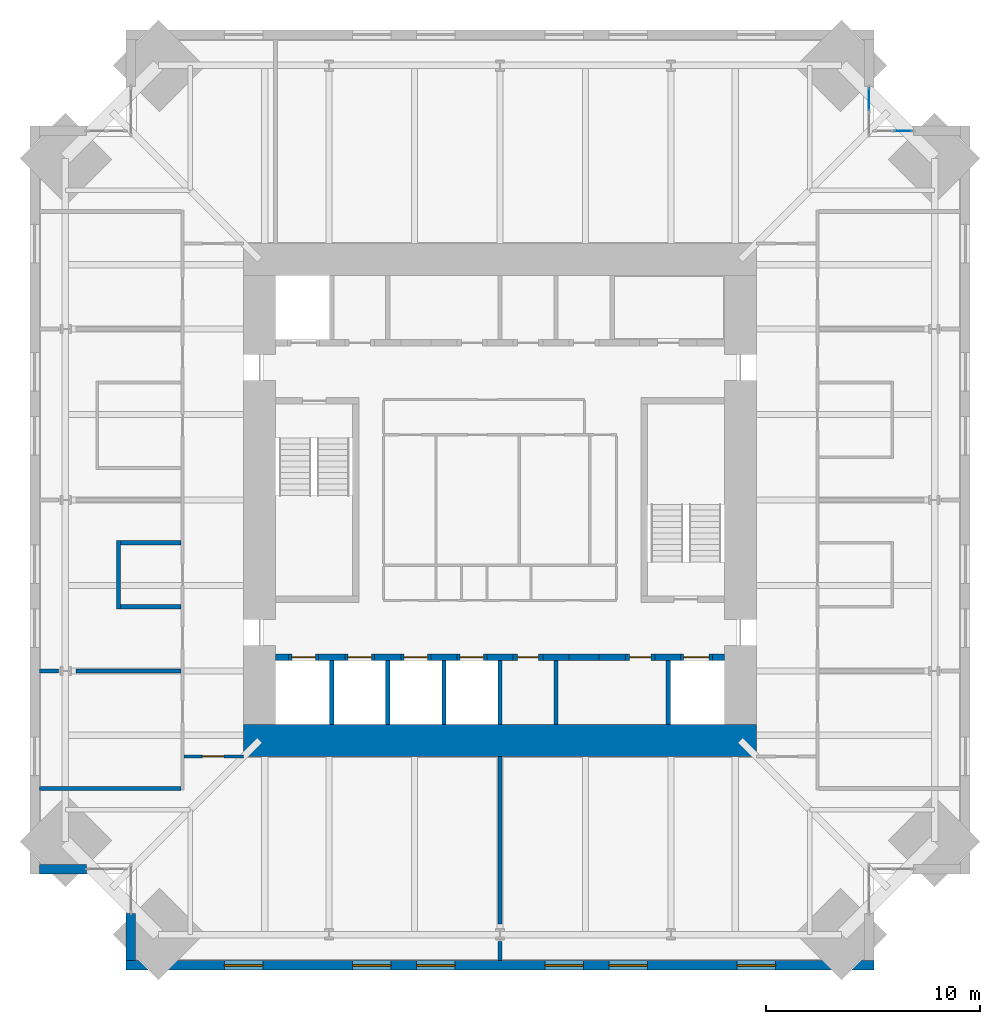
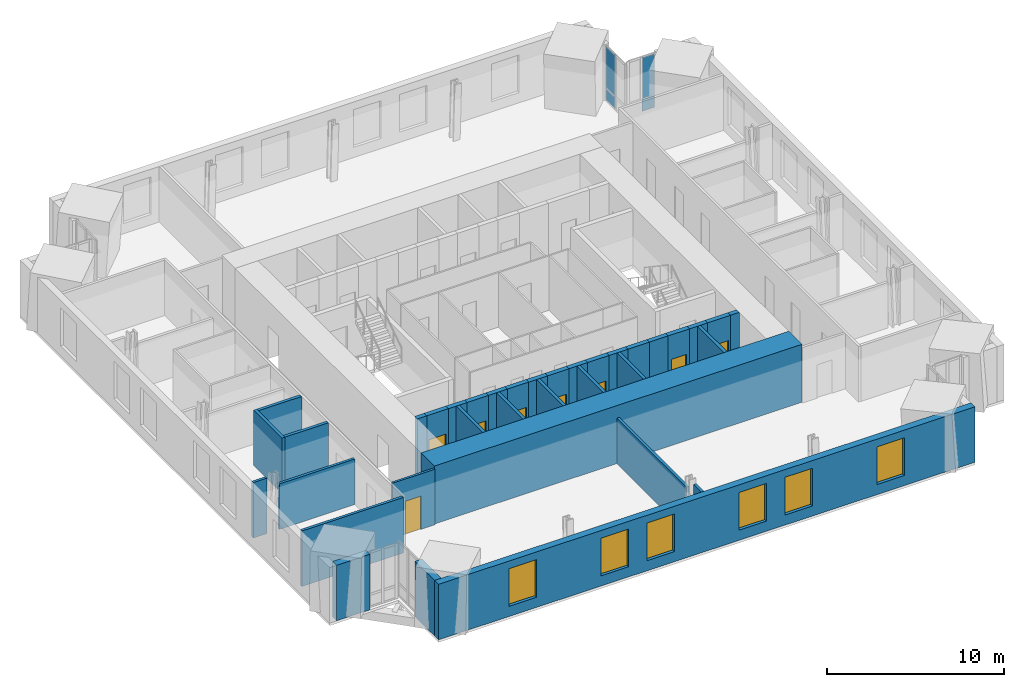
# One storey, part 11 of 16: 36 walls, 8 doors, 6 windows, 4 plates, 14 openings, 2 elements without a shape of their own.
"""IFC4 building model written with IfcOpenShell, lengths in metres."""

from ifc_helpers import new_model, si_unit, direction, frame, frame_2d, origin, origin_2d, place, context, subcontext, project, spatial, rectangle, extrude, material, layer, layer_set, type_object, element, fill, aggregate, save


model = new_model("IFC4")

# Units and contexts
model_context = context("Model", 3, precision=1e-05, world=origin(), true_north=direction((0.0, 1.0)))
body_context = subcontext(model_context, "Body", "Model", "MODEL_VIEW")
ifc_project = project(units=[si_unit("LENGTHUNIT", "METRE"), si_unit("AREAUNIT", "SQUARE_METRE"), si_unit("VOLUMEUNIT", "CUBIC_METRE"), si_unit("PLANEANGLEUNIT", "RADIAN"), si_unit("MASSUNIT", "GRAM", prefix="KILO")], contexts=[model_context])

# Site, building, storey
site_placement = place(None, origin())
site = spatial("IfcSite", under=ifc_project, at=site_placement, CompositionType="ELEMENT")
building_placement = place(site_placement, origin())
building = spatial("IfcBuilding", under=site, at=building_placement, Name="Peilmerk Tower", CompositionType="ELEMENT")
storey_placement = place(building_placement, frame((0.0, 0.0, 261.800048828125)))
storey = spatial("IfcBuildingStorey", under=building, at=storey_placement, Name="L58", CompositionType="ELEMENT", Elevation=261.800048828125)

# Curtain wall, plates
ifc_material_1 = material(Name="Aluminium stick curtain wall", Category="aluminium")
curtain_wall_type = type_object("IfcCurtainWallType", Name="CW4 stick curtain wall, 2250 module", PredefinedType="NOTDEFINED", material=ifc_material_1)
curtain_wall_1_placement = place(storey_placement, origin())
curtain_wall_1 = element("IfcCurtainWall", 1, at=curtain_wall_1_placement, inside=storey, type_object=curtain_wall_type, Name="Curtain wall CW4 NEA L58", PredefinedType="NOTDEFINED")
ifc_material_2 = material(Name="Clear insulated glazing unit", Category="glass")
ifc_layer_1 = layer(ifc_material_2, 0.028076171875)
ifc_layer_set_1 = layer_set([ifc_layer_1], Name="Clear insulated glazing unit")
plate_type = type_object("IfcPlateType", Name="CW4-P 28 glazed panel", PredefinedType="CURTAIN_PANEL", material=ifc_layer_set_1)
plate_1_placement = place(storey_placement, frame((17.27490234375, 18.750244140625, 0.06494140625), z_axis=(0.0, 0.0, 1.0), x_axis=(0.0, 1.0, 0.0)))
plate_1 = element("IfcPlate", 2, at=plate_1_placement, type_object=plate_type, Name="CW4 panel 2.1", PredefinedType="CURTAIN_PANEL", context=body_context, shape_type="SweptSolid", body=[
    extrude(rectangle(XDim=1.046875, YDim=0.028076171875, at=origin_2d()), origin(), (0.0, 0.0, 1.0), 0.802490234375),
])
plate_2_placement = place(storey_placement, frame((17.27490234375, 18.750244140625, 0.932373046875), z_axis=(0.0, 0.0, 1.0), x_axis=(0.0, 1.0, 0.0)))
plate_2 = element("IfcPlate", 3, at=plate_2_placement, type_object=plate_type, Name="CW4 panel 2.2", PredefinedType="CURTAIN_PANEL", context=body_context, shape_type="SweptSolid", body=[
    extrude(rectangle(XDim=1.046875, YDim=0.028076171875, at=origin_2d()), origin(), (0.0, 0.0, 1.0), 2.83251953125),
])
aggregate(curtain_wall_1, [plate_1, plate_2])

curtain_wall_2_placement = place(storey_placement, origin())
curtain_wall_2 = element("IfcCurtainWall", 4, at=curtain_wall_2_placement, inside=storey, type_object=curtain_wall_type, Name="Curtain wall CW4 NEB L58", PredefinedType="NOTDEFINED")
plate_3_placement = place(storey_placement, frame((18.86279296875, 17.27490234375, 0.06494140625), z_axis=(0.0, 0.0, 1.0), x_axis=(1.0, 0.0, 0.0)))
plate_3 = element("IfcPlate", 5, at=plate_3_placement, type_object=plate_type, Name="CW4 panel 2.1", PredefinedType="CURTAIN_PANEL", context=body_context, shape_type="SweptSolid", body=[
    extrude(rectangle(XDim=0.82177734375, YDim=0.028076171875, at=origin_2d()), origin(), (0.0, 0.0, 1.0), 0.802490234375),
])
plate_4_placement = place(storey_placement, frame((18.86279296875, 17.27490234375, 0.932373046875), z_axis=(0.0, 0.0, 1.0), x_axis=(1.0, 0.0, 0.0)))
plate_4 = element("IfcPlate", 6, at=plate_4_placement, type_object=plate_type, Name="CW4 panel 2.2", PredefinedType="CURTAIN_PANEL", context=body_context, shape_type="SweptSolid", body=[
    extrude(rectangle(XDim=0.82177734375, YDim=0.028076171875, at=origin_2d()), origin(), (0.0, 0.0, 1.0), 2.83251953125),
])
aggregate(curtain_wall_2, [plate_3, plate_4])

# Wall, openings, windows
ifc_material_3 = material(Name="Precast concrete C45/55, board-marked finish", Category="concrete")
ifc_layer_2 = layer(ifc_material_3, 0.449951171875)
ifc_layer_set_2 = layer_set([ifc_layer_2], Name="Precast concrete C45/55, board-marked finish")
wall_type_1 = type_object("IfcWallType", Name="EW1 450 precast concrete facade wall, board-marked", PredefinedType="SOLIDWALL", material=ifc_layer_set_2)
wall_1_placement = place(storey_placement, frame((-17.5, -21.77490234375, 0.0), z_axis=(0.0, 0.0, 1.0), x_axis=(1.0, 0.0, 0.0)))
wall_1 = element("IfcWall", 7, at=wall_1_placement, inside=storey, type_object=wall_type_1, Name="Facade wall S L58", PredefinedType="SOLIDWALL", context=body_context, shape_type="SweptSolid", body=[
    extrude(rectangle(XDim=35.0, YDim=0.449951171875, at=frame_2d((17.5, 0.0))), origin(), (0.0, 0.0, 1.0), 3.829833984375),
])
opening_1_placement = place(wall_1_placement, frame((4.60009765625, 0.0, 0.699951171875)))
opening_1 = element("IfcOpeningElement", 8, at=opening_1_placement, cuts=wall_1, Name="Opening W1", PredefinedType="OPENING", context=body_context, shape_type="SweptSolid", body=[
    extrude(rectangle(XDim=1.800048828125, YDim=2.60009765625, at=frame_2d((0.89990234375, 1.300048828125))), frame((0.0, 0.23486328125, 0.0), z_axis=(0.0, -1.0, 0.0), x_axis=(1.0, 0.0, 0.0)), (0.0, 0.0, 1.0), 0.469970703125),
])
opening_2_placement = place(wall_1_placement, frame((10.60009765625, 0.0, 0.699951171875)))
opening_2 = element("IfcOpeningElement", 9, at=opening_2_placement, cuts=wall_1, Name="Opening W1", PredefinedType="OPENING", context=body_context, shape_type="SweptSolid", body=[
    extrude(rectangle(XDim=1.800048828125, YDim=2.60009765625, at=frame_2d((0.89990234375, 1.300048828125))), frame((0.0, 0.23486328125, 0.0), z_axis=(0.0, -1.0, 0.0), x_axis=(1.0, 0.0, 0.0)), (0.0, 0.0, 1.0), 0.469970703125),
])
opening_3_placement = place(wall_1_placement, frame((13.60009765625, 0.0, 0.699951171875)))
opening_3 = element("IfcOpeningElement", 10, at=opening_3_placement, cuts=wall_1, Name="Opening W1", PredefinedType="OPENING", context=body_context, shape_type="SweptSolid", body=[
    extrude(rectangle(XDim=1.800048828125, YDim=2.60009765625, at=frame_2d((0.89990234375, 1.300048828125))), frame((0.0, 0.23486328125, 0.0), z_axis=(0.0, -1.0, 0.0), x_axis=(1.0, 0.0, 0.0)), (0.0, 0.0, 1.0), 0.469970703125),
])
opening_4_placement = place(wall_1_placement, frame((19.60009765625, 0.0, 0.699951171875)))
opening_4 = element("IfcOpeningElement", 11, at=opening_4_placement, cuts=wall_1, Name="Opening W1", PredefinedType="OPENING", context=body_context, shape_type="SweptSolid", body=[
    extrude(rectangle(XDim=1.800048828125, YDim=2.60009765625, at=frame_2d((0.89990234375, 1.300048828125))), frame((0.0, 0.23486328125, 0.0), z_axis=(0.0, -1.0, 0.0), x_axis=(1.0, 0.0, 0.0)), (0.0, 0.0, 1.0), 0.469970703125),
])
opening_5_placement = place(wall_1_placement, frame((22.60009765625, 0.0, 0.699951171875)))
opening_5 = element("IfcOpeningElement", 12, at=opening_5_placement, cuts=wall_1, Name="Opening W1", PredefinedType="OPENING", context=body_context, shape_type="SweptSolid", body=[
    extrude(rectangle(XDim=1.800048828125, YDim=2.60009765625, at=frame_2d((0.89990234375, 1.300048828125))), frame((0.0, 0.23486328125, 0.0), z_axis=(0.0, -1.0, 0.0), x_axis=(1.0, 0.0, 0.0)), (0.0, 0.0, 1.0), 0.469970703125),
])
opening_6_placement = place(wall_1_placement, frame((28.60009765625, 0.0, 0.699951171875)))
opening_6 = element("IfcOpeningElement", 13, at=opening_6_placement, cuts=wall_1, Name="Opening W1", PredefinedType="OPENING", context=body_context, shape_type="SweptSolid", body=[
    extrude(rectangle(XDim=1.800048828125, YDim=2.60009765625, at=frame_2d((0.89990234375, 1.300048828125))), frame((0.0, 0.23486328125, 0.0), z_axis=(0.0, -1.0, 0.0), x_axis=(1.0, 0.0, 0.0)), (0.0, 0.0, 1.0), 0.469970703125),
])
ifc_material_4 = material(Name="Aluminium frame, clear double glazing", Category="aluminium")
window_type = type_object("IfcWindowType", Name="W1 1800x2600 office window", PartitioningType="SINGLE_PANEL", PredefinedType="WINDOW", material=ifc_material_4)
window_1_placement = place(opening_1_placement, origin())
window_1 = element("IfcWindow", 14, at=window_1_placement, inside=storey, type_object=window_type, Name="Window W1 L58", OverallHeight=2.60009765625, OverallWidth=1.800048828125, PartitioningType="SINGLE_PANEL", PredefinedType="WINDOW", context=body_context, shape_type="SweptSolid", body=[
    extrude(rectangle(XDim=1.800048828125, YDim=2.60009765625, at=frame_2d((0.89990234375, 1.300048828125))), frame((0.0, 0.030029296875, 0.0), z_axis=(0.0, -1.0, 0.0), x_axis=(1.0, 0.0, 0.0)), (0.0, 0.0, 1.0), 0.06005859375),
])
fill(opening_1, window_1)
window_2_placement = place(opening_2_placement, origin())
window_2 = element("IfcWindow", 15, at=window_2_placement, inside=storey, type_object=window_type, Name="Window W1 L58", OverallHeight=2.60009765625, OverallWidth=1.800048828125, PartitioningType="SINGLE_PANEL", PredefinedType="WINDOW", context=body_context, shape_type="SweptSolid", body=[
    extrude(rectangle(XDim=1.800048828125, YDim=2.60009765625, at=frame_2d((0.89990234375, 1.300048828125))), frame((0.0, 0.030029296875, 0.0), z_axis=(0.0, -1.0, 0.0), x_axis=(1.0, 0.0, 0.0)), (0.0, 0.0, 1.0), 0.06005859375),
])
fill(opening_2, window_2)
window_3_placement = place(opening_3_placement, origin())
window_3 = element("IfcWindow", 16, at=window_3_placement, inside=storey, type_object=window_type, Name="Window W1 L58", OverallHeight=2.60009765625, OverallWidth=1.800048828125, PartitioningType="SINGLE_PANEL", PredefinedType="WINDOW", context=body_context, shape_type="SweptSolid", body=[
    extrude(rectangle(XDim=1.800048828125, YDim=2.60009765625, at=frame_2d((0.89990234375, 1.300048828125))), frame((0.0, 0.030029296875, 0.0), z_axis=(0.0, -1.0, 0.0), x_axis=(1.0, 0.0, 0.0)), (0.0, 0.0, 1.0), 0.06005859375),
])
fill(opening_3, window_3)
window_4_placement = place(opening_4_placement, origin())
window_4 = element("IfcWindow", 17, at=window_4_placement, inside=storey, type_object=window_type, Name="Window W1 L58", OverallHeight=2.60009765625, OverallWidth=1.800048828125, PartitioningType="SINGLE_PANEL", PredefinedType="WINDOW", context=body_context, shape_type="SweptSolid", body=[
    extrude(rectangle(XDim=1.800048828125, YDim=2.60009765625, at=frame_2d((0.89990234375, 1.300048828125))), frame((0.0, 0.030029296875, 0.0), z_axis=(0.0, -1.0, 0.0), x_axis=(1.0, 0.0, 0.0)), (0.0, 0.0, 1.0), 0.06005859375),
])
fill(opening_4, window_4)
window_5_placement = place(opening_5_placement, origin())
window_5 = element("IfcWindow", 18, at=window_5_placement, inside=storey, type_object=window_type, Name="Window W1 L58", OverallHeight=2.60009765625, OverallWidth=1.800048828125, PartitioningType="SINGLE_PANEL", PredefinedType="WINDOW", context=body_context, shape_type="SweptSolid", body=[
    extrude(rectangle(XDim=1.800048828125, YDim=2.60009765625, at=frame_2d((0.89990234375, 1.300048828125))), frame((0.0, 0.030029296875, 0.0), z_axis=(0.0, -1.0, 0.0), x_axis=(1.0, 0.0, 0.0)), (0.0, 0.0, 1.0), 0.06005859375),
])
fill(opening_5, window_5)
window_6_placement = place(opening_6_placement, origin())
window_6 = element("IfcWindow", 19, at=window_6_placement, inside=storey, type_object=window_type, Name="Window W1 L58", OverallHeight=2.60009765625, OverallWidth=1.800048828125, PartitioningType="SINGLE_PANEL", PredefinedType="WINDOW", context=body_context, shape_type="SweptSolid", body=[
    extrude(rectangle(XDim=1.800048828125, YDim=2.60009765625, at=frame_2d((0.89990234375, 1.300048828125))), frame((0.0, 0.030029296875, 0.0), z_axis=(0.0, -1.0, 0.0), x_axis=(1.0, 0.0, 0.0)), (0.0, 0.0, 1.0), 0.06005859375),
])
fill(opening_6, window_6)

# Walls
for number, where, z_axis, x_axis, name in (
    (20, (-17.27490234375, -19.353759765625, 0.0), (0.0, 0.0, 1.0), (0.0, -1.0, 0.0), "Facade wall SWA L58"),
    (21, (-19.353759765625, -17.27490234375, 0.0), (0.0, 0.0, 1.0), (-1.0, 0.0, 0.0), "Facade wall SWB L58"),
):
    element("IfcWall", number, at=place(storey_placement, frame(where, z_axis=z_axis, x_axis=x_axis)), inside=storey, type_object=wall_type_1, Name=name, PredefinedType="SOLIDWALL", context=body_context, shape_type="SweptSolid", body=[
        extrude(rectangle(XDim=2.1962890625, YDim=0.449951171875, at=frame_2d((1.09814453125, 0.0))), origin(), (0.0, 0.0, 1.0), 3.829833984375),
    ])

# Wall, opening, door
ifc_material_5 = material(Name="Calcium silicate block", Category="masonry")
ifc_layer_3 = layer(ifc_material_5, 0.14990234375)
ifc_layer_set_3 = layer_set([ifc_layer_3], Name="Calcium silicate block")
wall_type_2 = type_object("IfcWallType", Name="IW1 150 corridor partition, EI 60", PredefinedType="PARTITIONING", material=ifc_layer_set_3)
wall_2_placement = place(storey_placement, frame((-12.0, -12.0, 0.0), z_axis=(0.0, 0.0, 1.0), x_axis=(-1.0, 0.0, 0.0)))
wall_2 = element("IfcWall", 22, at=wall_2_placement, inside=storey, type_object=wall_type_2, Name="Corridor wall SW L58", PredefinedType="PARTITIONING", context=body_context, shape_type="SweptSolid", body=[
    extrude(rectangle(XDim=2.77490234375, YDim=0.14990234375, at=frame_2d((1.387451171875, 0.0))), origin(), (0.0, 0.0, 1.0), 3.829833984375),
])
opening_7_placement = place(wall_2_placement, frame((0.925048828125, 0.0, 0.0)))
opening_7 = element("IfcOpeningElement", 23, at=opening_7_placement, cuts=wall_2, Name="Opening D1", PredefinedType="OPENING", context=body_context, shape_type="SweptSolid", body=[
    extrude(rectangle(XDim=1.0, YDim=2.300048828125, at=frame_2d((0.5, 1.14990234375))), frame((0.0, 0.0849609375, 0.0), z_axis=(0.0, -1.0, 0.0), x_axis=(1.0, 0.0, 0.0)), (0.0, 0.0, 1.0), 0.169921875),
])
ifc_material_6 = material(Name="Timber door in steel frame", Category="steel")
door_type_1 = type_object("IfcDoorType", Name="D1 1000x2300 room door, EI2 30", OperationType="SINGLE_SWING_LEFT", PredefinedType="DOOR", material=ifc_material_6)
door_1_placement = place(opening_7_placement, origin())
door_1 = element("IfcDoor", 24, at=door_1_placement, inside=storey, type_object=door_type_1, Name="Door Office L58", OperationType="SINGLE_SWING_LEFT", OverallHeight=2.300048828125, OverallWidth=1.0, PredefinedType="DOOR", context=body_context, shape_type="SweptSolid", body=[
    extrude(rectangle(XDim=1.0, YDim=2.300048828125, at=frame_2d((0.5, 1.14990234375))), frame((0.0, 0.02490234375, 0.0), z_axis=(0.0, -1.0, 0.0), x_axis=(1.0, 0.0, 0.0)), (0.0, 0.0, 1.0), 0.050048828125),
])
fill(opening_7, door_1)

# Walls
ifc_layer_4 = layer(ifc_material_5, 0.199951171875)
ifc_layer_set_4 = layer_set([ifc_layer_4], Name="Calcium silicate block")
wall_type_3 = type_object("IfcWallType", Name="IW2 200 room separating wall, EI 120", PredefinedType="PARTITIONING", material=ifc_layer_set_4)
wall_3_placement = place(storey_placement, frame((-17.85009765625, -5.10009765625, 0.0), z_axis=(0.0, 0.0, 1.0), x_axis=(0.0, 1.0, 0.0)))
element("IfcWall", 25, at=wall_3_placement, inside=storey, type_object=wall_type_3, Name="Room separating wall Print room L58", PredefinedType="PARTITIONING", context=body_context, shape_type="SweptSolid", body=[
    extrude(rectangle(XDim=3.2001953125, YDim=0.199951171875, at=frame_2d((1.60009765625, 0.0))), origin(), (0.0, 0.0, 1.0), 3.829833984375),
])
for number, where, z_axis, x_axis, name in (
    (26, (-14.925048828125, -5.0, 0.0), (0.0, 0.0, 1.0), (-1.0, 0.0, 0.0), "Room separating wall Print room L58"),
    (27, (-14.925048828125, -2.0, 0.0), (0.0, 0.0, 1.0), (-1.0, 0.0, 0.0), "Room separating wall Print room L58"),
):
    element("IfcWall", number, at=place(storey_placement, frame(where, z_axis=z_axis, x_axis=x_axis)), inside=storey, type_object=wall_type_3, Name=name, PredefinedType="PARTITIONING", context=body_context, shape_type="SweptSolid", body=[
        extrude(rectangle(XDim=2.824951171875, YDim=0.199951171875, at=frame_2d((1.41259765625, 0.0))), origin(), (0.0, 0.0, 1.0), 3.829833984375),
    ])
ifc_layer_5 = layer(ifc_material_5, 0.175048828125)
ifc_layer_set_5 = layer_set([ifc_layer_5], Name="Calcium silicate block")
wall_type_4 = type_object("IfcWallType", Name="IW8 175 tenant separating wall, EI 60", PredefinedType="PARTITIONING", material=ifc_layer_set_5)
wall_4_placement = place(storey_placement, frame((-14.925048828125, -13.5, 0.0), z_axis=(0.0, 0.0, 1.0), x_axis=(-1.0, 0.0, 0.0)))
element("IfcWall", 28, at=wall_4_placement, inside=storey, type_object=wall_type_4, Name="Tenant separating wall SW L58", PredefinedType="PARTITIONING", context=body_context, shape_type="SweptSolid", body=[
    extrude(rectangle(XDim=6.625, YDim=0.175048828125, at=frame_2d((3.3125, 0.0))), origin(), (0.0, 0.0, 1.0), 3.829833984375),
])
wall_5_placement = place(storey_placement, frame((0.0, -12.0, 0.0), z_axis=(0.0, 0.0, 1.0), x_axis=(0.0, -1.0, 0.0)))
element("IfcWall", 29, at=wall_5_placement, inside=storey, type_object=wall_type_4, Name="Tenant separating wall S1 L58", PredefinedType="PARTITIONING", context=body_context, shape_type="SweptSolid", body=[
    extrude(rectangle(XDim=7.849365234375, YDim=0.175048828125, at=frame_2d((3.9248046875, 0.0))), origin(), (0.0, 0.0, 1.0), 3.139892578125),
])
wall_6_placement = place(storey_placement, frame((0.0, -20.669921875, 0.0), z_axis=(0.0, 0.0, 1.0), x_axis=(0.0, -1.0, 0.0)))
element("IfcWall", 30, at=wall_6_placement, inside=storey, type_object=wall_type_4, Name="Tenant separating wall S1b L58", PredefinedType="PARTITIONING", context=body_context, shape_type="SweptSolid", body=[
    extrude(rectangle(XDim=0.880126953125, YDim=0.175048828125, at=frame_2d((0.43994140625, 0.0))), origin(), (0.0, 0.0, 1.0), 3.829833984375),
])
wall_7_placement = place(storey_placement, frame((-14.925048828125, -8.0, 0.0), z_axis=(0.0, 0.0, 1.0), x_axis=(-1.0, 0.0, 0.0)))
element("IfcWall", 31, at=wall_7_placement, inside=storey, type_object=wall_type_4, Name="Tenant separating wall W1 L58", PredefinedType="PARTITIONING", context=body_context, shape_type="SweptSolid", body=[
    extrude(rectangle(XDim=4.92431640625, YDim=0.175048828125, at=frame_2d((2.462158203125, 0.0))), origin(), (0.0, 0.0, 1.0), 3.139892578125),
])
wall_8_placement = place(storey_placement, frame((-20.669921875, -8.0, 0.0), z_axis=(0.0, 0.0, 1.0), x_axis=(-1.0, 0.0, 0.0)))
element("IfcWall", 32, at=wall_8_placement, inside=storey, type_object=wall_type_4, Name="Tenant separating wall W1b L58", PredefinedType="PARTITIONING", context=body_context, shape_type="SweptSolid", body=[
    extrude(rectangle(XDim=0.880126953125, YDim=0.175048828125, at=frame_2d((0.43994140625, 0.0))), origin(), (0.0, 0.0, 1.0), 3.829833984375),
])
ifc_layer_6 = layer(ifc_material_5, 0.199951171875)
ifc_layer_set_6 = layer_set([ifc_layer_6], Name="Calcium silicate block")
wall_type_5 = type_object("IfcWallType", Name="SH1 200 shaft dividing wall, EI 120", PredefinedType="PARTITIONING", material=ifc_layer_set_6)
for number, where, z_axis, x_axis, name in (
    (33, (-7.875, -10.5, 0.0), (0.0, 0.0, 1.0), (0.0, 1.0, 0.0), "Shaft wall S C4 L58"),
    (34, (-5.25, -10.5, 0.0), (0.0, 0.0, 1.0), (0.0, 1.0, 0.0), "Shaft wall S C3 L58"),
    (35, (-2.625, -10.5, 0.0), (0.0, 0.0, 1.0), (0.0, 1.0, 0.0), "Shaft wall S C2 L58"),
    (36, (0.0, -10.5, 0.0), (0.0, 0.0, 1.0), (0.0, 1.0, 0.0), "Shaft wall S C1 L58"),
    (37, (2.625, -10.5, 0.0), (0.0, 0.0, 1.0), (0.0, 1.0, 0.0), "Shaft wall S B3 L58"),
    (38, (7.875, -10.5, 0.0), (0.0, 0.0, 1.0), (0.0, 1.0, 0.0), "Shaft wall S B1 L58"),
):
    element("IfcWall", number, at=place(storey_placement, frame(where, z_axis=z_axis, x_axis=x_axis)), inside=storey, type_object=wall_type_5, Name=name, PredefinedType="PARTITIONING", context=body_context, shape_type="SweptSolid", body=[
        extrude(rectangle(XDim=3.0, YDim=0.199951171875, at=frame_2d((1.5, 0.0))), origin(), (0.0, 0.0, 1.0), 4.0),
    ])

# Wall, opening, door
ifc_layer_7 = layer(ifc_material_5, 0.300048828125)
ifc_layer_set_7 = layer_set([ifc_layer_7], Name="Calcium silicate block")
wall_type_6 = type_object("IfcWallType", Name="SH2 300 lift landing door panel, EI 120", PredefinedType="PARTITIONING", material=ifc_layer_set_7)
wall_9_placement = place(storey_placement, frame((-9.887451171875, -7.35009765625, 0.0), z_axis=(0.0, 0.0, 1.0), x_axis=(1.0, 0.0, 0.0)))
wall_9 = element("IfcWall", 39, at=wall_9_placement, inside=storey, type_object=wall_type_6, Name="Lift door panel S C4 L58", PredefinedType="PARTITIONING", context=body_context, shape_type="SweptSolid", body=[
    extrude(rectangle(XDim=1.39990234375, YDim=0.300048828125, at=frame_2d((0.699951171875, 0.0))), origin(), (0.0, 0.0, 1.0), 4.0),
])
opening_8_placement = place(wall_9_placement, frame((0.14990234375, 0.0, 0.0)))
opening_8 = element("IfcOpeningElement", 40, at=opening_8_placement, cuts=wall_9, Name="Opening LD1", PredefinedType="OPENING", context=body_context, shape_type="SweptSolid", body=[
    extrude(rectangle(XDim=1.10009765625, YDim=2.300048828125, at=frame_2d((0.550048828125, 1.14990234375))), frame((0.0, 0.159912109375, 0.0), z_axis=(0.0, -1.0, 0.0), x_axis=(1.0, 0.0, 0.0)), (0.0, 0.0, 1.0), 0.320068359375),
])
ifc_material_7 = material(Name="Stainless steel landing door", Category="steel")
door_type_2 = type_object("IfcDoorType", Name="LD1 1100x2300 lift landing door, sliding, EI2 60", OperationType="SLIDING_TO_LEFT", PredefinedType="DOOR", material=ifc_material_7)
door_2_placement = place(opening_8_placement, origin())
door_2 = element("IfcDoor", 41, at=door_2_placement, inside=storey, type_object=door_type_2, Name="Lift landing door C4 L58", OperationType="SLIDING_TO_LEFT", OverallHeight=2.300048828125, OverallWidth=1.10009765625, PredefinedType="DOOR", context=body_context, shape_type="SweptSolid", body=[
    extrude(rectangle(XDim=1.10009765625, YDim=2.300048828125, at=frame_2d((0.550048828125, 1.14990234375))), frame((0.0, 0.02490234375, 0.0), z_axis=(0.0, -1.0, 0.0), x_axis=(1.0, 0.0, 0.0)), (0.0, 0.0, 1.0), 0.050048828125),
])
fill(opening_8, door_2)

wall_10_placement = place(storey_placement, frame((-7.262451171875, -7.35009765625, 0.0), z_axis=(0.0, 0.0, 1.0), x_axis=(1.0, 0.0, 0.0)))
wall_10 = element("IfcWall", 42, at=wall_10_placement, inside=storey, type_object=wall_type_6, Name="Lift door panel S C3 L58", PredefinedType="PARTITIONING", context=body_context, shape_type="SweptSolid", body=[
    extrude(rectangle(XDim=1.39990234375, YDim=0.300048828125, at=frame_2d((0.699951171875, 0.0))), origin(), (0.0, 0.0, 1.0), 4.0),
])
opening_9_placement = place(wall_10_placement, frame((0.14990234375, 0.0, 0.0)))
opening_9 = element("IfcOpeningElement", 43, at=opening_9_placement, cuts=wall_10, Name="Opening LD1", PredefinedType="OPENING", context=body_context, shape_type="SweptSolid", body=[
    extrude(rectangle(XDim=1.10009765625, YDim=2.300048828125, at=frame_2d((0.550048828125, 1.14990234375))), frame((0.0, 0.159912109375, 0.0), z_axis=(0.0, -1.0, 0.0), x_axis=(1.0, 0.0, 0.0)), (0.0, 0.0, 1.0), 0.320068359375),
])
door_3_placement = place(opening_9_placement, origin())
door_3 = element("IfcDoor", 44, at=door_3_placement, inside=storey, type_object=door_type_2, Name="Lift landing door C3 L58", OperationType="SLIDING_TO_LEFT", OverallHeight=2.300048828125, OverallWidth=1.10009765625, PredefinedType="DOOR", context=body_context, shape_type="SweptSolid", body=[
    extrude(rectangle(XDim=1.10009765625, YDim=2.300048828125, at=frame_2d((0.550048828125, 1.14990234375))), frame((0.0, 0.02490234375, 0.0), z_axis=(0.0, -1.0, 0.0), x_axis=(1.0, 0.0, 0.0)), (0.0, 0.0, 1.0), 0.050048828125),
])
fill(opening_9, door_3)

wall_11_placement = place(storey_placement, frame((-4.637451171875, -7.35009765625, 0.0), z_axis=(0.0, 0.0, 1.0), x_axis=(1.0, 0.0, 0.0)))
wall_11 = element("IfcWall", 45, at=wall_11_placement, inside=storey, type_object=wall_type_6, Name="Lift door panel S C2 L58", PredefinedType="PARTITIONING", context=body_context, shape_type="SweptSolid", body=[
    extrude(rectangle(XDim=1.39990234375, YDim=0.300048828125, at=frame_2d((0.699951171875, 0.0))), origin(), (0.0, 0.0, 1.0), 4.0),
])
opening_10_placement = place(wall_11_placement, frame((0.14990234375, 0.0, 0.0)))
opening_10 = element("IfcOpeningElement", 46, at=opening_10_placement, cuts=wall_11, Name="Opening LD1", PredefinedType="OPENING", context=body_context, shape_type="SweptSolid", body=[
    extrude(rectangle(XDim=1.10009765625, YDim=2.300048828125, at=frame_2d((0.550048828125, 1.14990234375))), frame((0.0, 0.159912109375, 0.0), z_axis=(0.0, -1.0, 0.0), x_axis=(1.0, 0.0, 0.0)), (0.0, 0.0, 1.0), 0.320068359375),
])
door_4_placement = place(opening_10_placement, origin())
door_4 = element("IfcDoor", 47, at=door_4_placement, inside=storey, type_object=door_type_2, Name="Lift landing door C2 L58", OperationType="SLIDING_TO_LEFT", OverallHeight=2.300048828125, OverallWidth=1.10009765625, PredefinedType="DOOR", context=body_context, shape_type="SweptSolid", body=[
    extrude(rectangle(XDim=1.10009765625, YDim=2.300048828125, at=frame_2d((0.550048828125, 1.14990234375))), frame((0.0, 0.02490234375, 0.0), z_axis=(0.0, -1.0, 0.0), x_axis=(1.0, 0.0, 0.0)), (0.0, 0.0, 1.0), 0.050048828125),
])
fill(opening_10, door_4)

wall_12_placement = place(storey_placement, frame((-2.012451171875, -7.35009765625, 0.0), z_axis=(0.0, 0.0, 1.0), x_axis=(1.0, 0.0, 0.0)))
wall_12 = element("IfcWall", 48, at=wall_12_placement, inside=storey, type_object=wall_type_6, Name="Lift door panel S C1 L58", PredefinedType="PARTITIONING", context=body_context, shape_type="SweptSolid", body=[
    extrude(rectangle(XDim=1.39990234375, YDim=0.300048828125, at=frame_2d((0.699951171875, 0.0))), origin(), (0.0, 0.0, 1.0), 4.0),
])
opening_11_placement = place(wall_12_placement, frame((0.14990234375, 0.0, 0.0)))
opening_11 = element("IfcOpeningElement", 49, at=opening_11_placement, cuts=wall_12, Name="Opening LD1", PredefinedType="OPENING", context=body_context, shape_type="SweptSolid", body=[
    extrude(rectangle(XDim=1.10009765625, YDim=2.300048828125, at=frame_2d((0.550048828125, 1.14990234375))), frame((0.0, 0.159912109375, 0.0), z_axis=(0.0, -1.0, 0.0), x_axis=(1.0, 0.0, 0.0)), (0.0, 0.0, 1.0), 0.320068359375),
])
door_5_placement = place(opening_11_placement, origin())
door_5 = element("IfcDoor", 50, at=door_5_placement, inside=storey, type_object=door_type_2, Name="Lift landing door C1 L58", OperationType="SLIDING_TO_LEFT", OverallHeight=2.300048828125, OverallWidth=1.10009765625, PredefinedType="DOOR", context=body_context, shape_type="SweptSolid", body=[
    extrude(rectangle(XDim=1.10009765625, YDim=2.300048828125, at=frame_2d((0.550048828125, 1.14990234375))), frame((0.0, 0.02490234375, 0.0), z_axis=(0.0, -1.0, 0.0), x_axis=(1.0, 0.0, 0.0)), (0.0, 0.0, 1.0), 0.050048828125),
])
fill(opening_11, door_5)

wall_13_placement = place(storey_placement, frame((0.612548828125, -7.35009765625, 0.0), z_axis=(0.0, 0.0, 1.0), x_axis=(1.0, 0.0, 0.0)))
wall_13 = element("IfcWall", 51, at=wall_13_placement, inside=storey, type_object=wall_type_6, Name="Lift door panel S B3 L58", PredefinedType="PARTITIONING", context=body_context, shape_type="SweptSolid", body=[
    extrude(rectangle(XDim=1.39990234375, YDim=0.300048828125, at=frame_2d((0.699951171875, 0.0))), origin(), (0.0, 0.0, 1.0), 4.0),
])
opening_12_placement = place(wall_13_placement, frame((0.199951171875, 0.0, 0.0)))
opening_12 = element("IfcOpeningElement", 52, at=opening_12_placement, cuts=wall_13, Name="Opening D10", PredefinedType="OPENING", context=body_context, shape_type="SweptSolid", body=[
    extrude(rectangle(XDim=1.0, YDim=2.300048828125, at=frame_2d((0.5, 1.14990234375))), frame((0.0, 0.159912109375, 0.0), z_axis=(0.0, -1.0, 0.0), x_axis=(1.0, 0.0, 0.0)), (0.0, 0.0, 1.0), 0.320068359375),
])
ifc_material_8 = material(Name="Steel door in steel frame", Category="steel")
door_type_3 = type_object("IfcDoorType", Name="D10 1000x2300 core room door, EI2 60", OperationType="SINGLE_SWING_RIGHT", PredefinedType="DOOR", material=ifc_material_8)
door_6_placement = place(opening_12_placement, frame((1.0, 0.0, 0.0), z_axis=(0.0, 0.0, 1.0), x_axis=(-1.0, 0.0, 0.0)))
door_6 = element("IfcDoor", 53, at=door_6_placement, inside=storey, type_object=door_type_3, Name="Door Vending room L58", OperationType="SINGLE_SWING_RIGHT", OverallHeight=2.300048828125, OverallWidth=1.0, PredefinedType="DOOR", context=body_context, shape_type="SweptSolid", body=[
    extrude(rectangle(XDim=1.0, YDim=2.300048828125, at=frame_2d((0.5, 1.14990234375))), frame((0.0, 0.02490234375, 0.0), z_axis=(0.0, -1.0, 0.0), x_axis=(1.0, 0.0, 0.0)), (0.0, 0.0, 1.0), 0.050048828125),
])
fill(opening_12, door_6)

# Wall
wall_14_placement = place(storey_placement, frame((3.237548828125, -7.35009765625, 0.0), z_axis=(0.0, 0.0, 1.0), x_axis=(1.0, 0.0, 0.0)))
element("IfcWall", 54, at=wall_14_placement, inside=storey, type_object=wall_type_6, Name="Lift door panel S B2 L58", PredefinedType="PARTITIONING", context=body_context, shape_type="SweptSolid", body=[
    extrude(rectangle(XDim=1.39990234375, YDim=0.300048828125, at=frame_2d((0.699951171875, 0.0))), origin(), (0.0, 0.0, 1.0), 4.0),
])

# Wall, opening, door
wall_15_placement = place(storey_placement, frame((5.862548828125, -7.35009765625, 0.0), z_axis=(0.0, 0.0, 1.0), x_axis=(1.0, 0.0, 0.0)))
wall_15 = element("IfcWall", 55, at=wall_15_placement, inside=storey, type_object=wall_type_6, Name="Lift door panel S B1 L58", PredefinedType="PARTITIONING", context=body_context, shape_type="SweptSolid", body=[
    extrude(rectangle(XDim=1.39990234375, YDim=0.300048828125, at=frame_2d((0.699951171875, 0.0))), origin(), (0.0, 0.0, 1.0), 4.0),
])
opening_13_placement = place(wall_15_placement, frame((0.199951171875, 0.0, 0.0)))
opening_13 = element("IfcOpeningElement", 56, at=opening_13_placement, cuts=wall_15, Name="Opening D10", PredefinedType="OPENING", context=body_context, shape_type="SweptSolid", body=[
    extrude(rectangle(XDim=1.0, YDim=2.300048828125, at=frame_2d((0.5, 1.14990234375))), frame((0.0, 0.159912109375, 0.0), z_axis=(0.0, -1.0, 0.0), x_axis=(1.0, 0.0, 0.0)), (0.0, 0.0, 1.0), 0.320068359375),
])
door_7_placement = place(opening_13_placement, frame((1.0, 0.0, 0.0), z_axis=(0.0, 0.0, 1.0), x_axis=(-1.0, 0.0, 0.0)))
door_7 = element("IfcDoor", 57, at=door_7_placement, inside=storey, type_object=door_type_3, Name="Door Staff room L58", OperationType="SINGLE_SWING_RIGHT", OverallHeight=2.300048828125, OverallWidth=1.0, PredefinedType="DOOR", context=body_context, shape_type="SweptSolid", body=[
    extrude(rectangle(XDim=1.0, YDim=2.300048828125, at=frame_2d((0.5, 1.14990234375))), frame((0.0, 0.02490234375, 0.0), z_axis=(0.0, -1.0, 0.0), x_axis=(1.0, 0.0, 0.0)), (0.0, 0.0, 1.0), 0.050048828125),
])
fill(opening_13, door_7)

wall_16_placement = place(storey_placement, frame((8.4375, -7.35009765625, 0.0), z_axis=(0.0, 0.0, 1.0), x_axis=(1.0, 0.0, 0.0)))
wall_16 = element("IfcWall", 58, at=wall_16_placement, inside=storey, type_object=wall_type_6, Name="Lift door panel S FL2 L58", PredefinedType="PARTITIONING", context=body_context, shape_type="SweptSolid", body=[
    extrude(rectangle(XDim=1.5, YDim=0.300048828125, at=frame_2d((0.75, 0.0))), origin(), (0.0, 0.0, 1.0), 4.0),
])
opening_14_placement = place(wall_16_placement, frame((0.14990234375, 0.0, 0.0)))
opening_14 = element("IfcOpeningElement", 59, at=opening_14_placement, cuts=wall_16, Name="Opening LD2", PredefinedType="OPENING", context=body_context, shape_type="SweptSolid", body=[
    extrude(rectangle(XDim=1.199951171875, YDim=2.300048828125, at=frame_2d((0.60009765625, 1.14990234375))), frame((0.0, 0.159912109375, 0.0), z_axis=(0.0, -1.0, 0.0), x_axis=(1.0, 0.0, 0.0)), (0.0, 0.0, 1.0), 0.320068359375),
])
door_type_4 = type_object("IfcDoorType", Name="LD2 1200x2300 lift landing door, sliding, EI2 60", OperationType="SLIDING_TO_LEFT", PredefinedType="DOOR", material=ifc_material_7)
door_8_placement = place(opening_14_placement, origin())
door_8 = element("IfcDoor", 60, at=door_8_placement, inside=storey, type_object=door_type_4, Name="Lift landing door FL2 L58", OperationType="SLIDING_TO_LEFT", OverallHeight=2.300048828125, OverallWidth=1.199951171875, PredefinedType="DOOR", context=body_context, shape_type="SweptSolid", body=[
    extrude(rectangle(XDim=1.199951171875, YDim=2.300048828125, at=frame_2d((0.60009765625, 1.14990234375))), frame((0.0, 0.02490234375, 0.0), z_axis=(0.0, -1.0, 0.0), x_axis=(1.0, 0.0, 0.0)), (0.0, 0.0, 1.0), 0.050048828125),
])
fill(opening_14, door_8)

# Walls
ifc_material_9 = material(Name="Concrete C55/67", Category="concrete")
ifc_layer_8 = layer(ifc_material_9, 1.5)
ifc_layer_set_8 = layer_set([ifc_layer_8], Name="Concrete C55/67")
wall_type_7 = type_object("IfcWallType", Name="SW1 1500 core wall", PredefinedType="SHEAR", material=ifc_layer_set_8)
wall_17_placement = place(storey_placement, frame((12.0, -11.25, 0.0), z_axis=(0.0, 0.0, 1.0), x_axis=(-1.0, 0.0, 0.0)))
element("IfcWall", 61, at=wall_17_placement, inside=storey, type_object=wall_type_7, Name="Core wall S L58", PredefinedType="SHEAR", context=body_context, shape_type="SweptSolid", body=[
    extrude(rectangle(XDim=24.0, YDim=1.5, at=frame_2d((12.0, 0.0))), origin(), (0.0, 0.0, 1.0), 4.0),
])
ifc_layer_9 = layer(ifc_material_9, 0.300048828125)
ifc_layer_set_9 = layer_set([ifc_layer_9], Name="Concrete C55/67")
wall_type_8 = type_object("IfcWallType", Name="SW2 300 lift bank pier", PredefinedType="SHEAR", material=ifc_layer_set_9)
wall_18_placement = place(storey_placement, frame((-10.5, -7.35009765625, 0.0), z_axis=(0.0, 0.0, 1.0), x_axis=(1.0, 0.0, 0.0)))
element("IfcWall", 62, at=wall_18_placement, inside=storey, type_object=wall_type_8, Name="Lift bank pier S L58", PredefinedType="SHEAR", context=body_context, shape_type="SweptSolid", body=[
    extrude(rectangle(XDim=0.612548828125, YDim=0.300048828125, at=frame_2d((0.30615234375, 0.0))), origin(), (0.0, 0.0, 1.0), 4.0),
])
for number, where, z_axis, x_axis, name in (
    (63, (-8.487548828125, -7.35009765625, 0.0), (0.0, 0.0, 1.0), (1.0, 0.0, 0.0), "Lift bank pier S L58"),
    (64, (-5.862548828125, -7.35009765625, 0.0), (0.0, 0.0, 1.0), (1.0, 0.0, 0.0), "Lift bank pier S L58"),
    (65, (-3.237548828125, -7.35009765625, 0.0), (0.0, 0.0, 1.0), (1.0, 0.0, 0.0), "Lift bank pier S L58"),
    (66, (-0.612548828125, -7.35009765625, 0.0), (0.0, 0.0, 1.0), (1.0, 0.0, 0.0), "Lift bank pier S L58"),
    (67, (2.012451171875, -7.35009765625, 0.0), (0.0, 0.0, 1.0), (1.0, 0.0, 0.0), "Lift bank pier S L58"),
    (68, (4.637451171875, -7.35009765625, 0.0), (0.0, 0.0, 1.0), (1.0, 0.0, 0.0), "Lift bank pier S L58"),
):
    element("IfcWall", number, at=place(storey_placement, frame(where, z_axis=z_axis, x_axis=x_axis)), inside=storey, type_object=wall_type_8, Name=name, PredefinedType="SHEAR", context=body_context, shape_type="SweptSolid", body=[
        extrude(rectangle(XDim=1.22509765625, YDim=0.300048828125, at=frame_2d((0.612548828125, 0.0))), origin(), (0.0, 0.0, 1.0), 4.0),
    ])
wall_19_placement = place(storey_placement, frame((7.262451171875, -7.35009765625, 0.0), z_axis=(0.0, 0.0, 1.0), x_axis=(1.0, 0.0, 0.0)))
element("IfcWall", 69, at=wall_19_placement, inside=storey, type_object=wall_type_8, Name="Lift bank pier S L58", PredefinedType="SHEAR", context=body_context, shape_type="SweptSolid", body=[
    extrude(rectangle(XDim=1.175048828125, YDim=0.300048828125, at=frame_2d((0.58740234375, 0.0))), origin(), (0.0, 0.0, 1.0), 4.0),
])
wall_20_placement = place(storey_placement, frame((9.9375, -7.35009765625, 0.0), z_axis=(0.0, 0.0, 1.0), x_axis=(1.0, 0.0, 0.0)))
element("IfcWall", 70, at=wall_20_placement, inside=storey, type_object=wall_type_8, Name="Lift bank pier S L58", PredefinedType="SHEAR", context=body_context, shape_type="SweptSolid", body=[
    extrude(rectangle(XDim=0.5625, YDim=0.300048828125, at=frame_2d((0.28125, 0.0))), origin(), (0.0, 0.0, 1.0), 4.0),
])

save(model, "model.ifc")
